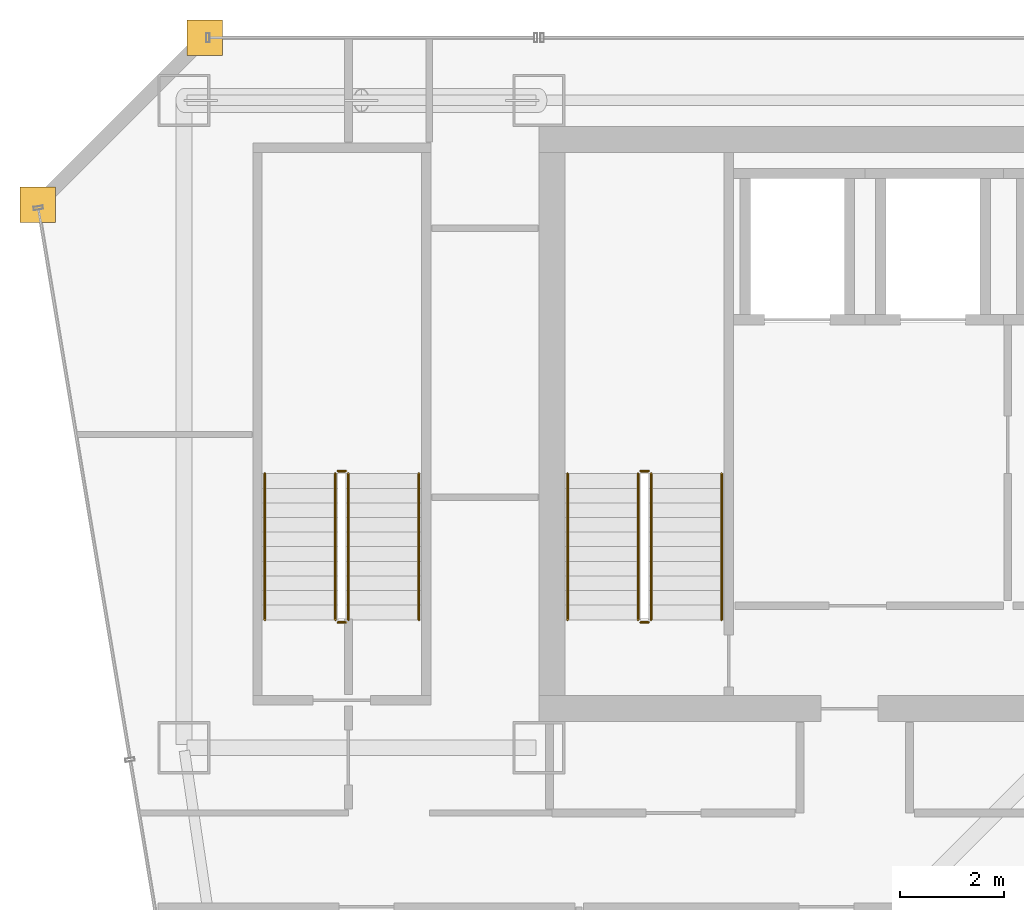
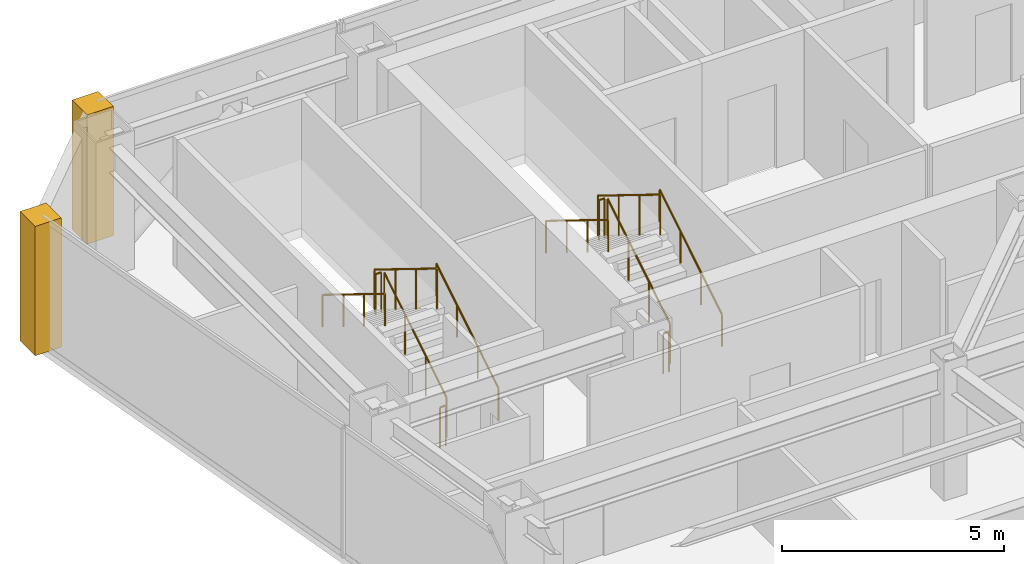
# One storey, part 35 of 36: 12 railings, 2 coverings.
"""IFC4 building model written with IfcOpenShell, lengths in metres."""

from ifc_helpers import new_model, si_unit, direction, frame, origin, origin_2d, place, context, subcontext, project, spatial, polyline, circle, outline, extrude, material, layer, layer_set, type_object, element, save


model = new_model("IFC4")

# Units and contexts
model_context = context("Model", 3, precision=1e-05, world=origin(), true_north=direction((0.0, 1.0)))
body_context = subcontext(model_context, "Body", "Model", "MODEL_VIEW")
ifc_project = project(units=[si_unit("LENGTHUNIT", "METRE"), si_unit("AREAUNIT", "SQUARE_METRE"), si_unit("VOLUMEUNIT", "CUBIC_METRE"), si_unit("PLANEANGLEUNIT", "RADIAN"), si_unit("MASSUNIT", "GRAM", prefix="KILO")], contexts=[model_context])

# Site, building, storey
site_placement = place(None, origin())
site = spatial("IfcSite", under=ifc_project, at=site_placement, CompositionType="ELEMENT")
building_placement = place(site_placement, origin())
building = spatial("IfcBuilding", under=site, at=building_placement, Name="Saevonmaru Cultural Tower", CompositionType="ELEMENT")
storey_placement = place(building_placement, frame((0.0, 0.0, 156.199951171875)))
storey = spatial("IfcBuildingStorey", under=building, at=storey_placement, Name="L34", CompositionType="ELEMENT", Elevation=156.199951171875)

# Coverings
ifc_material_1 = material(Name="Satin Bronze Anodised Aluminium", Category="aluminium")
ifc_layer = layer(ifc_material_1, 0.679931640625, Name="Satin Bronze Anodised Aluminium")
ifc_layer_set = layer_set([ifc_layer], Name="Satin Bronze Anodised Aluminium")
covering_type = type_object("IfcCoveringType", Name="CV-CORNER-CLAD", PredefinedType="CLADDING", material=ifc_layer_set)
covering_1_placement = place(storey_placement, origin())
element("IfcCovering", 1, at=covering_1_placement, inside=storey, type_object=covering_type, Name="L34 Tower Bronze Corner Cladding Pier 11", PredefinedType="CLADDING", context=body_context, shape_type="SweptSolid", body=[
    extrude(outline(polyline([(6.860107421875, 55.659912109375), (7.5400390625, 55.659912109375), (7.5400390625, 56.340087890625), (6.860107421875, 56.340087890625), (6.860107421875, 55.659912109375)])), origin(), (0.0, 0.0, 1.0), 3.550048828125),
])
covering_2_placement = place(storey_placement, origin())
element("IfcCovering", 2, at=covering_2_placement, inside=storey, type_object=covering_type, Name="L34 Tower Bronze Corner Cladding Pier 12", PredefinedType="CLADDING", context=body_context, shape_type="SweptSolid", body=[
    extrude(outline(polyline([(3.659912109375, 52.4599609375), (4.340087890625, 52.4599609375), (4.340087890625, 53.139892578125), (3.659912109375, 53.139892578125), (3.659912109375, 52.4599609375)])), origin(), (0.0, 0.0, 1.0), 3.550048828125),
])

# Railings
ifc_material_2 = material(Name="Architectural Painted Steel", Category="steel")
railing_type_1 = type_object("IfcRailingType", Name="RL-STAIR-GUARD", PredefinedType="GUARDRAIL", material=ifc_material_2)
railing_1_placement = place(storey_placement, frame((15.75, 44.85009765625, 0.1728515625)))
element("IfcRailing", 3, at=railing_1_placement, inside=storey, type_object=railing_type_1, Name="L34 ST-1 stair guard 1", PredefinedType="GUARDRAIL", context=body_context, shape_type="SweptSolid", body=[
    extrude(circle(Radius=0.02392578125, at=origin_2d()), frame((0.0, 0.0, 1.09619140625), z_axis=(0.0, 0.851069175582, 0.525053576669), x_axis=(-1.0, 0.0, 0.0)), (0.0, 0.0, 1.0), 3.289794921875),
    extrude(circle(Radius=0.02099609375, at=origin_2d()), origin(), (0.0, 0.0, 1.0), 1.072021484375),
    extrude(circle(Radius=0.02099609375, at=origin_2d()), frame((0.0, 0.933349609375, 0.57568359375)), (0.0, 0.0, 1.0), 1.072021484375),
    extrude(circle(Radius=0.02099609375, at=origin_2d()), frame((0.0, 1.866455078125, 1.151611328125)), (0.0, 0.0, 1.0), 1.072021484375),
    extrude(circle(Radius=0.02099609375, at=origin_2d()), frame((0.0, 2.7998046875, 1.727294921875)), (0.0, 0.0, 1.0), 1.072021484375),
])
railing_2_placement = place(storey_placement, frame((15.699951171875, 47.699951171875, 1.900146484375)))
element("IfcRailing", 4, at=railing_2_placement, inside=storey, type_object=railing_type_1, Name="L34 ST-1 stair guard 2", PredefinedType="GUARDRAIL", context=body_context, shape_type="SweptSolid", body=[
    extrude(circle(Radius=0.02392578125, at=origin_2d()), frame((0.0, 0.0, 1.09619140625), z_axis=(-1.0, 0.0, 0.0), x_axis=(0.0, -1.0, 0.0)), (0.0, 0.0, 1.0), 0.14990234375),
    extrude(circle(Radius=0.02099609375, at=origin_2d()), origin(), (0.0, 0.0, 1.0), 1.072021484375),
    extrude(circle(Radius=0.02099609375, at=origin_2d()), frame((-0.14990234375, 0.0, 0.0)), (0.0, 0.0, 1.0), 1.072021484375),
])
railing_3_placement = place(storey_placement, frame((15.5, 47.64990234375, 2.07275390625)))
element("IfcRailing", 5, at=railing_3_placement, inside=storey, type_object=railing_type_1, Name="L34 ST-1 stair guard 3", PredefinedType="GUARDRAIL", context=body_context, shape_type="SweptSolid", body=[
    extrude(circle(Radius=0.02392578125, at=origin_2d()), frame((0.0, 0.0, 1.09619140625), z_axis=(0.0, -0.851069175582, 0.525053576669), x_axis=(1.0, 0.0, 0.0)), (0.0, 0.0, 1.0), 3.289794921875),
    extrude(circle(Radius=0.02099609375, at=origin_2d()), origin(), (0.0, 0.0, 1.0), 1.072021484375),
    extrude(circle(Radius=0.02099609375, at=origin_2d()), frame((0.0, -0.933349609375, 0.57568359375)), (0.0, 0.0, 1.0), 1.072021484375),
    extrude(circle(Radius=0.02099609375, at=origin_2d()), frame((0.0, -1.866455078125, 1.151611328125)), (0.0, 0.0, 1.0), 1.072021484375),
    extrude(circle(Radius=0.02099609375, at=origin_2d()), frame((0.0, -2.7998046875, 1.727294921875)), (0.0, 0.0, 1.0), 1.072021484375),
])
railing_4_placement = place(storey_placement, frame((15.699951171875, 44.800048828125, 0.0)))
element("IfcRailing", 6, at=railing_4_placement, inside=storey, type_object=railing_type_1, Name="L34 ST-1 stair guard 4", PredefinedType="GUARDRAIL", context=body_context, shape_type="SweptSolid", body=[
    extrude(circle(Radius=0.02392578125, at=origin_2d()), frame((0.0, 0.0, 1.09619140625), z_axis=(-1.0, 0.0, 0.0), x_axis=(0.0, -1.0, 0.0)), (0.0, 0.0, 1.0), 0.14990234375),
    extrude(circle(Radius=0.02099609375, at=origin_2d()), origin(), (0.0, 0.0, 1.0), 1.072021484375),
    extrude(circle(Radius=0.02099609375, at=origin_2d()), frame((-0.14990234375, 0.0, 0.0)), (0.0, 0.0, 1.0), 1.072021484375),
])
railing_5_placement = place(storey_placement, frame((9.949951171875, 44.85009765625, 0.1728515625)))
element("IfcRailing", 7, at=railing_5_placement, inside=storey, type_object=railing_type_1, Name="L34 ST-3 stair guard 1", PredefinedType="GUARDRAIL", context=body_context, shape_type="SweptSolid", body=[
    extrude(circle(Radius=0.02392578125, at=origin_2d()), frame((0.0, 0.0, 1.09619140625), z_axis=(0.0, 0.851069175582, 0.525053576669), x_axis=(-1.0, 0.0, 0.0)), (0.0, 0.0, 1.0), 3.289794921875),
    extrude(circle(Radius=0.02099609375, at=origin_2d()), origin(), (0.0, 0.0, 1.0), 1.072021484375),
    extrude(circle(Radius=0.02099609375, at=origin_2d()), frame((0.0, 0.933349609375, 0.57568359375)), (0.0, 0.0, 1.0), 1.072021484375),
    extrude(circle(Radius=0.02099609375, at=origin_2d()), frame((0.0, 1.866455078125, 1.151611328125)), (0.0, 0.0, 1.0), 1.072021484375),
    extrude(circle(Radius=0.02099609375, at=origin_2d()), frame((0.0, 2.7998046875, 1.727294921875)), (0.0, 0.0, 1.0), 1.072021484375),
])
railing_6_placement = place(storey_placement, frame((9.89990234375, 47.699951171875, 1.900146484375)))
element("IfcRailing", 8, at=railing_6_placement, inside=storey, type_object=railing_type_1, Name="L34 ST-3 stair guard 2", PredefinedType="GUARDRAIL", context=body_context, shape_type="SweptSolid", body=[
    extrude(circle(Radius=0.02392578125, at=origin_2d()), frame((0.0, 0.0, 1.09619140625), z_axis=(-1.0, 0.0, 0.0), x_axis=(0.0, -1.0, 0.0)), (0.0, 0.0, 1.0), 0.14990234375),
    extrude(circle(Radius=0.02099609375, at=origin_2d()), origin(), (0.0, 0.0, 1.0), 1.072021484375),
    extrude(circle(Radius=0.02099609375, at=origin_2d()), frame((-0.14990234375, 0.0, 0.0)), (0.0, 0.0, 1.0), 1.072021484375),
])
railing_7_placement = place(storey_placement, frame((9.699951171875, 47.64990234375, 2.07275390625)))
element("IfcRailing", 9, at=railing_7_placement, inside=storey, type_object=railing_type_1, Name="L34 ST-3 stair guard 3", PredefinedType="GUARDRAIL", context=body_context, shape_type="SweptSolid", body=[
    extrude(circle(Radius=0.02392578125, at=origin_2d()), frame((0.0, 0.0, 1.09619140625), z_axis=(0.0, -0.851069175582, 0.525053576669), x_axis=(1.0, 0.0, 0.0)), (0.0, 0.0, 1.0), 3.289794921875),
    extrude(circle(Radius=0.02099609375, at=origin_2d()), origin(), (0.0, 0.0, 1.0), 1.072021484375),
    extrude(circle(Radius=0.02099609375, at=origin_2d()), frame((0.0, -0.933349609375, 0.57568359375)), (0.0, 0.0, 1.0), 1.072021484375),
    extrude(circle(Radius=0.02099609375, at=origin_2d()), frame((0.0, -1.866455078125, 1.151611328125)), (0.0, 0.0, 1.0), 1.072021484375),
    extrude(circle(Radius=0.02099609375, at=origin_2d()), frame((0.0, -2.7998046875, 1.727294921875)), (0.0, 0.0, 1.0), 1.072021484375),
])
railing_8_placement = place(storey_placement, frame((9.89990234375, 44.800048828125, 0.0)))
element("IfcRailing", 10, at=railing_8_placement, inside=storey, type_object=railing_type_1, Name="L34 ST-3 stair guard 4", PredefinedType="GUARDRAIL", context=body_context, shape_type="SweptSolid", body=[
    extrude(circle(Radius=0.02392578125, at=origin_2d()), frame((0.0, 0.0, 1.09619140625), z_axis=(-1.0, 0.0, 0.0), x_axis=(0.0, -1.0, 0.0)), (0.0, 0.0, 1.0), 0.14990234375),
    extrude(circle(Radius=0.02099609375, at=origin_2d()), origin(), (0.0, 0.0, 1.0), 1.072021484375),
    extrude(circle(Radius=0.02099609375, at=origin_2d()), frame((-0.14990234375, 0.0, 0.0)), (0.0, 0.0, 1.0), 1.072021484375),
])
railing_type_2 = type_object("IfcRailingType", Name="RL-STAIR-HANDRAIL", PredefinedType="HANDRAIL", material=ifc_material_1)
railing_9_placement = place(storey_placement, frame((17.10009765625, 44.85009765625, 0.1728515625)))
element("IfcRailing", 11, at=railing_9_placement, inside=storey, type_object=railing_type_2, Name="L34 ST-1 stair handrail 1", PredefinedType="HANDRAIL", context=body_context, shape_type="SweptSolid", body=[
    extrude(circle(Radius=0.02392578125, at=origin_2d()), frame((0.0, 0.0, 0.8759765625), z_axis=(0.0, 0.851069175582, 0.525053576669), x_axis=(-1.0, 0.0, 0.0)), (0.0, 0.0, 1.0), 3.289794921875),
    extrude(circle(Radius=0.02099609375, at=origin_2d()), origin(), (0.0, 0.0, 1.0), 0.851806640625),
    extrude(circle(Radius=0.02099609375, at=origin_2d()), frame((0.0, 0.933349609375, 0.57568359375)), (0.0, 0.0, 1.0), 0.851806640625),
    extrude(circle(Radius=0.02099609375, at=origin_2d()), frame((0.0, 1.866455078125, 1.151611328125)), (0.0, 0.0, 1.0), 0.851806640625),
    extrude(circle(Radius=0.02099609375, at=origin_2d()), frame((0.0, 2.7998046875, 1.727294921875)), (0.0, 0.0, 1.0), 0.851806640625),
])
railing_10_placement = place(storey_placement, frame((14.14990234375, 47.64990234375, 2.07275390625)))
element("IfcRailing", 12, at=railing_10_placement, inside=storey, type_object=railing_type_2, Name="L34 ST-1 stair handrail 2", PredefinedType="HANDRAIL", context=body_context, shape_type="SweptSolid", body=[
    extrude(circle(Radius=0.02392578125, at=origin_2d()), frame((0.0, 0.0, 0.8759765625), z_axis=(0.0, -0.851069175582, 0.525053576669), x_axis=(1.0, 0.0, 0.0)), (0.0, 0.0, 1.0), 3.289794921875),
    extrude(circle(Radius=0.02099609375, at=origin_2d()), origin(), (0.0, 0.0, 1.0), 0.851806640625),
    extrude(circle(Radius=0.02099609375, at=origin_2d()), frame((0.0, -0.933349609375, 0.57568359375)), (0.0, 0.0, 1.0), 0.851806640625),
    extrude(circle(Radius=0.02099609375, at=origin_2d()), frame((0.0, -1.866455078125, 1.151611328125)), (0.0, 0.0, 1.0), 0.851806640625),
    extrude(circle(Radius=0.02099609375, at=origin_2d()), frame((0.0, -2.7998046875, 1.727294921875)), (0.0, 0.0, 1.0), 0.851806640625),
])
railing_11_placement = place(storey_placement, frame((11.300048828125, 44.85009765625, 0.1728515625)))
element("IfcRailing", 13, at=railing_11_placement, inside=storey, type_object=railing_type_2, Name="L34 ST-3 stair handrail 1", PredefinedType="HANDRAIL", context=body_context, shape_type="SweptSolid", body=[
    extrude(circle(Radius=0.02392578125, at=origin_2d()), frame((0.0, 0.0, 0.8759765625), z_axis=(0.0, 0.851069175582, 0.525053576669), x_axis=(-1.0, 0.0, 0.0)), (0.0, 0.0, 1.0), 3.289794921875),
    extrude(circle(Radius=0.02099609375, at=origin_2d()), origin(), (0.0, 0.0, 1.0), 0.851806640625),
    extrude(circle(Radius=0.02099609375, at=origin_2d()), frame((0.0, 0.933349609375, 0.57568359375)), (0.0, 0.0, 1.0), 0.851806640625),
    extrude(circle(Radius=0.02099609375, at=origin_2d()), frame((0.0, 1.866455078125, 1.151611328125)), (0.0, 0.0, 1.0), 0.851806640625),
    extrude(circle(Radius=0.02099609375, at=origin_2d()), frame((0.0, 2.7998046875, 1.727294921875)), (0.0, 0.0, 1.0), 0.851806640625),
])
railing_12_placement = place(storey_placement, frame((8.35009765625, 47.64990234375, 2.07275390625)))
element("IfcRailing", 14, at=railing_12_placement, inside=storey, type_object=railing_type_2, Name="L34 ST-3 stair handrail 2", PredefinedType="HANDRAIL", context=body_context, shape_type="SweptSolid", body=[
    extrude(circle(Radius=0.02392578125, at=origin_2d()), frame((0.0, 0.0, 0.8759765625), z_axis=(0.0, -0.851069175582, 0.525053576669), x_axis=(1.0, 0.0, 0.0)), (0.0, 0.0, 1.0), 3.289794921875),
    extrude(circle(Radius=0.02099609375, at=origin_2d()), origin(), (0.0, 0.0, 1.0), 0.851806640625),
    extrude(circle(Radius=0.02099609375, at=origin_2d()), frame((0.0, -0.933349609375, 0.57568359375)), (0.0, 0.0, 1.0), 0.851806640625),
    extrude(circle(Radius=0.02099609375, at=origin_2d()), frame((0.0, -1.866455078125, 1.151611328125)), (0.0, 0.0, 1.0), 0.851806640625),
    extrude(circle(Radius=0.02099609375, at=origin_2d()), frame((0.0, -2.7998046875, 1.727294921875)), (0.0, 0.0, 1.0), 0.851806640625),
])

save(model, "model.ifc")
